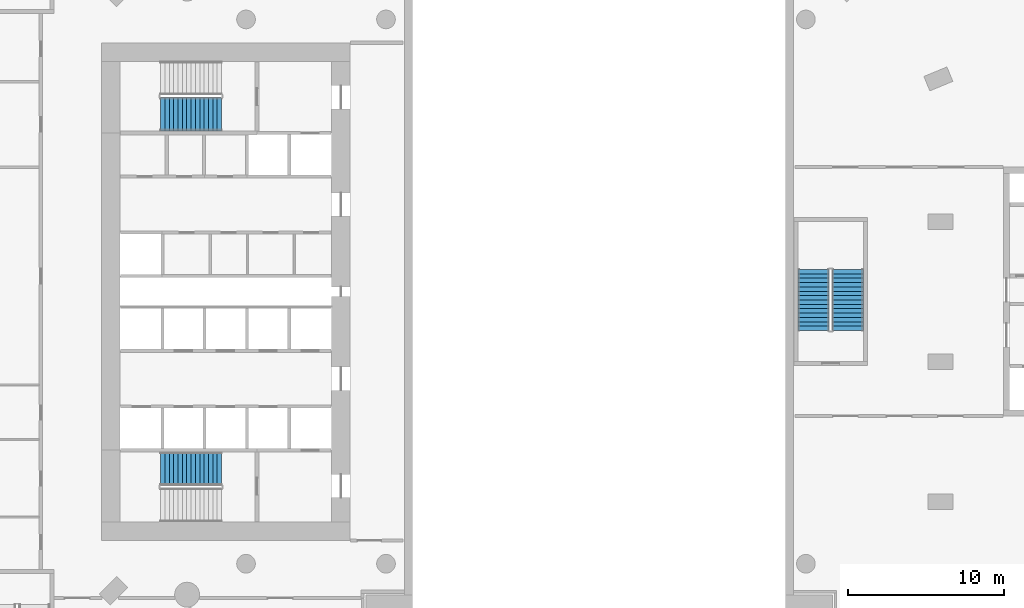
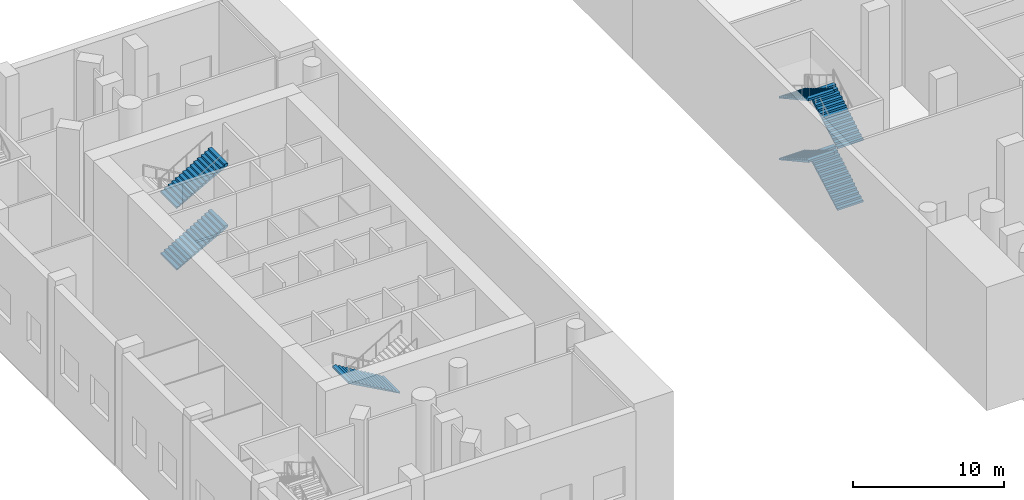
# One storey, part 10 of 16: 7 stair flights, 3 elements without a shape of their own.
"""IFC4 building model written with IfcOpenShell, lengths in metres."""

from ifc_helpers import new_model, si_unit, direction, frame, origin, place, context, subcontext, project, spatial, triangles, material, type_object, element, aggregate, save


model = new_model("IFC4")

# Units and contexts
model_context = context("Model", 3, precision=1e-05, world=origin(), true_north=direction((0.0, 1.0)))
body_context = subcontext(model_context, "Body", "Model", "MODEL_VIEW")
ifc_project = project(units=[si_unit("LENGTHUNIT", "METRE"), si_unit("AREAUNIT", "SQUARE_METRE"), si_unit("VOLUMEUNIT", "CUBIC_METRE"), si_unit("PLANEANGLEUNIT", "RADIAN"), si_unit("MASSUNIT", "GRAM", prefix="KILO")], contexts=[model_context])

# Site, building, storey
site_placement = place(None, origin())
site = spatial("IfcSite", under=ifc_project, at=site_placement, CompositionType="ELEMENT")
building_placement = place(site_placement, origin())
building = spatial("IfcBuilding", under=site, at=building_placement, Name="Cypress Arch Tower", CompositionType="ELEMENT")
storey_placement = place(building_placement, frame((0.0, 0.0, 9.0)))
storey = spatial("IfcBuildingStorey", under=building, at=storey_placement, Name="L01", CompositionType="ELEMENT", Elevation=9.0)

# Stair, stair flights
ifc_material_1 = material(Name="Concrete C40/50", Category="concrete")
stair_type_1 = type_object("IfcStairType", Name="Exit stair ES1667-200", PredefinedType="HALF_TURN_STAIR", material=ifc_material_1)
stair_1_placement = place(storey_placement, origin())
stair_1 = element("IfcStair", 1, at=stair_1_placement, inside=storey, type_object=stair_type_1, Name="L01 Exit stair C", PredefinedType="HALF_TURN_STAIR")
ifc_material_2 = material(Name="Concrete C40/50", Category="concrete")
stair_flight_type_1 = type_object("IfcStairFlightType", Name="Exit stair flight ES1667-200", PredefinedType="STRAIGHT", material=ifc_material_2)
stair_flight_1_placement = place(storey_placement, frame((18.0, -2.5, 0.0), z_axis=(0.0, 0.0, 1.0), x_axis=(0.0, 1.0, 0.0)))
stair_flight_1 = element("IfcStairFlight", 2, at=stair_flight_1_placement, type_object=stair_flight_type_1, Name="C flight 1", NumberOfRisers=15, NumberOfTreads=14, PredefinedType="STRAIGHT", RiserHeight=0.166666667, TreadLength=0.28, context=body_context, shape_type="Tessellation", body=[
    triangles([(0.0, -1.0, 0.0), (0.0, -1.0, 0.166748046875), (0.280029296875, -1.0, 0.166748046875), (0.280029296875, -1.0, 0.333251953125), (0.56005859375, -1.0, 0.333251953125), (0.56005859375, -1.0, 0.5), (0.840087890625, -1.0, 0.5), (0.840087890625, -1.0, 0.666748046875), (1.1201171875, -1.0, 0.666748046875), (1.1201171875, -1.0, 0.833251953125), (1.39990234375, -1.0, 0.833251953125), (1.39990234375, -1.0, 1.0), (1.679931640625, -1.0, 1.0), (1.679931640625, -1.0, 1.166748046875), (1.9599609375, -1.0, 1.166748046875), (1.9599609375, -1.0, 1.333251953125), (2.239990234375, -1.0, 1.333251953125), (2.239990234375, -1.0, 1.5), (2.52001953125, -1.0, 1.5), (2.52001953125, -1.0, 1.666748046875), (2.800048828125, -1.0, 1.666748046875), (2.800048828125, -1.0, 1.833251953125), (3.080078125, -1.0, 1.833251953125), (3.080078125, -1.0, 2.0), (3.360107421875, -1.0, 2.0), (3.360107421875, -1.0, 2.166748046875), (3.639892578125, -1.0, 2.166748046875), (3.639892578125, -1.0, 2.333251953125), (3.919921875, -1.0, 2.333251953125), (3.919921875, -1.0, 2.158935546875), (3.919921875, 1.0, 2.158935546875), (3.919921875, 1.0, 2.333251953125), (3.639892578125, 1.0, 2.333251953125), (3.639892578125, 1.0, 2.166748046875), (3.360107421875, 1.0, 2.166748046875), (3.360107421875, 1.0, 2.0), (3.080078125, 1.0, 2.0), (3.080078125, 1.0, 1.833251953125), (2.800048828125, 1.0, 1.833251953125), (2.800048828125, 1.0, 1.666748046875), (2.52001953125, 1.0, 1.666748046875), (2.52001953125, 1.0, 1.5), (2.239990234375, 1.0, 1.5), (2.239990234375, 1.0, 1.333251953125), (1.9599609375, 1.0, 1.333251953125), (1.9599609375, 1.0, 1.166748046875), (1.679931640625, 1.0, 1.166748046875), (1.679931640625, 1.0, 1.0), (1.39990234375, 1.0, 1.0), (1.39990234375, 1.0, 0.833251953125), (1.1201171875, 1.0, 0.833251953125), (1.1201171875, 1.0, 0.666748046875), (0.840087890625, 1.0, 0.666748046875), (0.840087890625, 1.0, 0.5), (0.56005859375, 1.0, 0.5), (0.56005859375, 1.0, 0.333251953125), (0.280029296875, 1.0, 0.333251953125), (0.280029296875, 1.0, 0.166748046875), (0.0, 1.0, 0.166748046875), (0.0, 1.0, 0.0)], [[30, 29, 28], [27, 26, 25], [25, 24, 23], [21, 20, 19], [19, 18, 17], [15, 14, 13], [13, 12, 11], [9, 8, 7], [7, 6, 5], [3, 2, 1], [11, 10, 9], [23, 22, 21], [17, 16, 15], [5, 4, 3], [30, 28, 27], [30, 27, 25], [30, 25, 23], [30, 23, 21], [30, 21, 19], [30, 19, 17], [30, 17, 15], [30, 15, 13], [30, 13, 11], [30, 11, 9], [30, 9, 7], [30, 7, 5], [1, 30, 5], [5, 3, 1], [31, 33, 32], [34, 36, 35], [36, 38, 37], [40, 42, 41], [42, 44, 43], [46, 48, 47], [48, 50, 49], [52, 54, 53], [54, 56, 55], [58, 60, 59], [50, 52, 51], [38, 40, 39], [44, 46, 45], [56, 58, 57], [31, 34, 33], [31, 36, 34], [31, 38, 36], [31, 40, 38], [31, 42, 40], [31, 44, 42], [31, 46, 44], [31, 48, 46], [31, 50, 48], [31, 52, 50], [31, 54, 52], [31, 56, 54], [60, 56, 31], [56, 60, 58], [31, 32, 29], [31, 29, 30], [32, 33, 28], [32, 28, 29], [33, 34, 27], [33, 27, 28], [34, 35, 26], [34, 26, 27], [35, 36, 25], [35, 25, 26], [36, 37, 24], [36, 24, 25], [37, 38, 23], [37, 23, 24], [38, 39, 22], [38, 22, 23], [39, 40, 21], [39, 21, 22], [40, 41, 20], [40, 20, 21], [41, 42, 19], [41, 19, 20], [42, 43, 18], [42, 18, 19], [43, 44, 17], [43, 17, 18], [44, 45, 16], [44, 16, 17], [45, 46, 15], [45, 15, 16], [46, 47, 14], [46, 14, 15], [47, 48, 13], [47, 13, 14], [48, 49, 12], [48, 12, 13], [49, 50, 11], [49, 11, 12], [50, 51, 10], [50, 10, 11], [51, 52, 9], [51, 9, 10], [52, 53, 8], [52, 8, 9], [53, 54, 7], [53, 7, 8], [54, 55, 6], [54, 6, 7], [55, 56, 5], [55, 5, 6], [56, 57, 4], [56, 4, 5], [57, 58, 3], [57, 3, 4], [58, 59, 2], [58, 2, 3], [59, 60, 1], [59, 1, 2], [60, 31, 30], [60, 30, 1]], closed=True),
])
stair_flight_2_placement = place(storey_placement, frame((15.800048828125, 1.419921875, 2.5), z_axis=(0.0, 0.0, 1.0), x_axis=(0.0, -1.0, 0.0)))
stair_flight_2 = element("IfcStairFlight", 3, at=stair_flight_2_placement, type_object=stair_flight_type_1, Name="C flight 2", NumberOfRisers=15, NumberOfTreads=14, PredefinedType="STRAIGHT", RiserHeight=0.166666667, TreadLength=0.28, context=body_context, shape_type="Tessellation", body=[
    triangles([(0.0, -1.0, 0.0), (0.0, -1.0, 0.166748046875), (0.280029296875, -1.0, 0.166748046875), (0.280029296875, -1.0, 0.333251953125), (0.56005859375, -1.0, 0.333251953125), (0.56005859375, -1.0, 0.5), (0.840087890625, -1.0, 0.5), (0.840087890625, -1.0, 0.666748046875), (1.1201171875, -1.0, 0.666748046875), (1.1201171875, -1.0, 0.833251953125), (1.39990234375, -1.0, 0.833251953125), (1.39990234375, -1.0, 1.0), (1.679931640625, -1.0, 1.0), (1.679931640625, -1.0, 1.166748046875), (1.9599609375, -1.0, 1.166748046875), (1.9599609375, -1.0, 1.333251953125), (2.239990234375, -1.0, 1.333251953125), (2.239990234375, -1.0, 1.5), (2.52001953125, -1.0, 1.5), (2.52001953125, -1.0, 1.666748046875), (2.800048828125, -1.0, 1.666748046875), (2.800048828125, -1.0, 1.833251953125), (3.080078125, -1.0, 1.833251953125), (3.080078125, -1.0, 2.0), (3.360107421875, -1.0, 2.0), (3.360107421875, -1.0, 2.166748046875), (3.639892578125, -1.0, 2.166748046875), (3.639892578125, -1.0, 2.333251953125), (3.919921875, -1.0, 2.333251953125), (3.919921875, -1.0, 2.158935546875), (3.919921875, 1.0, 2.158935546875), (3.919921875, 1.0, 2.333251953125), (3.639892578125, 1.0, 2.333251953125), (3.639892578125, 1.0, 2.166748046875), (3.360107421875, 1.0, 2.166748046875), (3.360107421875, 1.0, 2.0), (3.080078125, 1.0, 2.0), (3.080078125, 1.0, 1.833251953125), (2.800048828125, 1.0, 1.833251953125), (2.800048828125, 1.0, 1.666748046875), (2.52001953125, 1.0, 1.666748046875), (2.52001953125, 1.0, 1.5), (2.239990234375, 1.0, 1.5), (2.239990234375, 1.0, 1.333251953125), (1.9599609375, 1.0, 1.333251953125), (1.9599609375, 1.0, 1.166748046875), (1.679931640625, 1.0, 1.166748046875), (1.679931640625, 1.0, 1.0), (1.39990234375, 1.0, 1.0), (1.39990234375, 1.0, 0.833251953125), (1.1201171875, 1.0, 0.833251953125), (1.1201171875, 1.0, 0.666748046875), (0.840087890625, 1.0, 0.666748046875), (0.840087890625, 1.0, 0.5), (0.56005859375, 1.0, 0.5), (0.56005859375, 1.0, 0.333251953125), (0.280029296875, 1.0, 0.333251953125), (0.280029296875, 1.0, 0.166748046875), (0.0, 1.0, 0.166748046875), (0.0, 1.0, 0.0)], [[30, 29, 28], [27, 26, 25], [25, 24, 23], [21, 20, 19], [19, 18, 17], [15, 14, 13], [13, 12, 11], [9, 8, 7], [7, 6, 5], [3, 2, 1], [11, 10, 9], [23, 22, 21], [17, 16, 15], [5, 4, 3], [30, 28, 27], [30, 27, 25], [30, 25, 23], [30, 23, 21], [30, 21, 19], [30, 19, 17], [30, 17, 15], [30, 15, 13], [30, 13, 11], [30, 11, 9], [30, 9, 7], [30, 7, 5], [1, 30, 5], [5, 3, 1], [31, 33, 32], [34, 36, 35], [36, 38, 37], [40, 42, 41], [42, 44, 43], [46, 48, 47], [48, 50, 49], [52, 54, 53], [54, 56, 55], [58, 60, 59], [50, 52, 51], [38, 40, 39], [44, 46, 45], [56, 58, 57], [31, 34, 33], [31, 36, 34], [31, 38, 36], [31, 40, 38], [31, 42, 40], [31, 44, 42], [31, 46, 44], [31, 48, 46], [31, 50, 48], [31, 52, 50], [31, 54, 52], [31, 56, 54], [60, 56, 31], [56, 60, 58], [31, 32, 29], [31, 29, 30], [32, 33, 28], [32, 28, 29], [33, 34, 27], [33, 27, 28], [34, 35, 26], [34, 26, 27], [35, 36, 25], [35, 25, 26], [36, 37, 24], [36, 24, 25], [37, 38, 23], [37, 23, 24], [38, 39, 22], [38, 22, 23], [39, 40, 21], [39, 21, 22], [40, 41, 20], [40, 20, 21], [41, 42, 19], [41, 19, 20], [42, 43, 18], [42, 18, 19], [43, 44, 17], [43, 17, 18], [44, 45, 16], [44, 16, 17], [45, 46, 15], [45, 15, 16], [46, 47, 14], [46, 14, 15], [47, 48, 13], [47, 13, 14], [48, 49, 12], [48, 12, 13], [49, 50, 11], [49, 11, 12], [50, 51, 10], [50, 10, 11], [51, 52, 9], [51, 9, 10], [52, 53, 8], [52, 8, 9], [53, 54, 7], [53, 7, 8], [54, 55, 6], [54, 6, 7], [55, 56, 5], [55, 5, 6], [56, 57, 4], [56, 4, 5], [57, 58, 3], [57, 3, 4], [58, 59, 2], [58, 2, 3], [59, 60, 1], [59, 1, 2], [60, 31, 30], [60, 30, 1]], closed=True),
])
stair_flight_3_placement = place(storey_placement, frame((18.0, -2.5, 5.0), z_axis=(0.0, 0.0, 1.0), x_axis=(0.0, 1.0, 0.0)))
stair_flight_3 = element("IfcStairFlight", 4, at=stair_flight_3_placement, type_object=stair_flight_type_1, Name="C flight 3", NumberOfRisers=15, NumberOfTreads=14, PredefinedType="STRAIGHT", RiserHeight=0.166666667, TreadLength=0.28, context=body_context, shape_type="Tessellation", body=[
    triangles([(0.0, -1.0, 0.0), (0.0, -1.0, 0.166748046875), (0.280029296875, -1.0, 0.166748046875), (0.280029296875, -1.0, 0.333251953125), (0.56005859375, -1.0, 0.333251953125), (0.56005859375, -1.0, 0.5), (0.840087890625, -1.0, 0.5), (0.840087890625, -1.0, 0.666748046875), (1.1201171875, -1.0, 0.666748046875), (1.1201171875, -1.0, 0.833251953125), (1.39990234375, -1.0, 0.833251953125), (1.39990234375, -1.0, 1.0), (1.679931640625, -1.0, 1.0), (1.679931640625, -1.0, 1.166748046875), (1.9599609375, -1.0, 1.166748046875), (1.9599609375, -1.0, 1.333251953125), (2.239990234375, -1.0, 1.333251953125), (2.239990234375, -1.0, 1.5), (2.52001953125, -1.0, 1.5), (2.52001953125, -1.0, 1.666748046875), (2.800048828125, -1.0, 1.666748046875), (2.800048828125, -1.0, 1.833251953125), (3.080078125, -1.0, 1.833251953125), (3.080078125, -1.0, 2.0), (3.360107421875, -1.0, 2.0), (3.360107421875, -1.0, 2.166748046875), (3.639892578125, -1.0, 2.166748046875), (3.639892578125, -1.0, 2.333251953125), (3.919921875, -1.0, 2.333251953125), (3.919921875, -1.0, 2.158935546875), (3.919921875, 1.0, 2.158935546875), (3.919921875, 1.0, 2.333251953125), (3.639892578125, 1.0, 2.333251953125), (3.639892578125, 1.0, 2.166748046875), (3.360107421875, 1.0, 2.166748046875), (3.360107421875, 1.0, 2.0), (3.080078125, 1.0, 2.0), (3.080078125, 1.0, 1.833251953125), (2.800048828125, 1.0, 1.833251953125), (2.800048828125, 1.0, 1.666748046875), (2.52001953125, 1.0, 1.666748046875), (2.52001953125, 1.0, 1.5), (2.239990234375, 1.0, 1.5), (2.239990234375, 1.0, 1.333251953125), (1.9599609375, 1.0, 1.333251953125), (1.9599609375, 1.0, 1.166748046875), (1.679931640625, 1.0, 1.166748046875), (1.679931640625, 1.0, 1.0), (1.39990234375, 1.0, 1.0), (1.39990234375, 1.0, 0.833251953125), (1.1201171875, 1.0, 0.833251953125), (1.1201171875, 1.0, 0.666748046875), (0.840087890625, 1.0, 0.666748046875), (0.840087890625, 1.0, 0.5), (0.56005859375, 1.0, 0.5), (0.56005859375, 1.0, 0.333251953125), (0.280029296875, 1.0, 0.333251953125), (0.280029296875, 1.0, 0.166748046875), (0.0, 1.0, 0.166748046875), (0.0, 1.0, 0.0)], [[30, 29, 28], [27, 26, 25], [25, 24, 23], [21, 20, 19], [19, 18, 17], [15, 14, 13], [13, 12, 11], [9, 8, 7], [7, 6, 5], [3, 2, 1], [11, 10, 9], [23, 22, 21], [17, 16, 15], [5, 4, 3], [30, 28, 27], [30, 27, 25], [30, 25, 23], [30, 23, 21], [30, 21, 19], [30, 19, 17], [30, 17, 15], [30, 15, 13], [30, 13, 11], [30, 11, 9], [30, 9, 7], [30, 7, 5], [1, 30, 5], [5, 3, 1], [31, 33, 32], [34, 36, 35], [36, 38, 37], [40, 42, 41], [42, 44, 43], [46, 48, 47], [48, 50, 49], [52, 54, 53], [54, 56, 55], [58, 60, 59], [50, 52, 51], [38, 40, 39], [44, 46, 45], [56, 58, 57], [31, 34, 33], [31, 36, 34], [31, 38, 36], [31, 40, 38], [31, 42, 40], [31, 44, 42], [31, 46, 44], [31, 48, 46], [31, 50, 48], [31, 52, 50], [31, 54, 52], [31, 56, 54], [60, 56, 31], [56, 60, 58], [31, 32, 29], [31, 29, 30], [32, 33, 28], [32, 28, 29], [33, 34, 27], [33, 27, 28], [34, 35, 26], [34, 26, 27], [35, 36, 25], [35, 25, 26], [36, 37, 24], [36, 24, 25], [37, 38, 23], [37, 23, 24], [38, 39, 22], [38, 22, 23], [39, 40, 21], [39, 21, 22], [40, 41, 20], [40, 20, 21], [41, 42, 19], [41, 19, 20], [42, 43, 18], [42, 18, 19], [43, 44, 17], [43, 17, 18], [44, 45, 16], [44, 16, 17], [45, 46, 15], [45, 15, 16], [46, 47, 14], [46, 14, 15], [47, 48, 13], [47, 13, 14], [48, 49, 12], [48, 12, 13], [49, 50, 11], [49, 11, 12], [50, 51, 10], [50, 10, 11], [51, 52, 9], [51, 9, 10], [52, 53, 8], [52, 8, 9], [53, 54, 7], [53, 7, 8], [54, 55, 6], [54, 6, 7], [55, 56, 5], [55, 5, 6], [56, 57, 4], [56, 4, 5], [57, 58, 3], [57, 3, 4], [58, 59, 2], [58, 2, 3], [59, 60, 1], [59, 1, 2], [60, 31, 30], [60, 30, 1]], closed=True),
])
stair_flight_4_placement = place(storey_placement, frame((15.800048828125, 1.419921875, 7.5), z_axis=(0.0, 0.0, 1.0), x_axis=(0.0, -1.0, 0.0)))
stair_flight_4 = element("IfcStairFlight", 5, at=stair_flight_4_placement, type_object=stair_flight_type_1, Name="C flight 4", NumberOfRisers=15, NumberOfTreads=14, PredefinedType="STRAIGHT", RiserHeight=0.166666667, TreadLength=0.28, context=body_context, shape_type="Tessellation", body=[
    triangles([(0.0, -1.0, 0.0), (0.0, -1.0, 0.166748046875), (0.280029296875, -1.0, 0.166748046875), (0.280029296875, -1.0, 0.333251953125), (0.56005859375, -1.0, 0.333251953125), (0.56005859375, -1.0, 0.5), (0.840087890625, -1.0, 0.5), (0.840087890625, -1.0, 0.666748046875), (1.1201171875, -1.0, 0.666748046875), (1.1201171875, -1.0, 0.833251953125), (1.39990234375, -1.0, 0.833251953125), (1.39990234375, -1.0, 1.0), (1.679931640625, -1.0, 1.0), (1.679931640625, -1.0, 1.166748046875), (1.9599609375, -1.0, 1.166748046875), (1.9599609375, -1.0, 1.333251953125), (2.239990234375, -1.0, 1.333251953125), (2.239990234375, -1.0, 1.5), (2.52001953125, -1.0, 1.5), (2.52001953125, -1.0, 1.666748046875), (2.800048828125, -1.0, 1.666748046875), (2.800048828125, -1.0, 1.833251953125), (3.080078125, -1.0, 1.833251953125), (3.080078125, -1.0, 2.0), (3.360107421875, -1.0, 2.0), (3.360107421875, -1.0, 2.166748046875), (3.639892578125, -1.0, 2.166748046875), (3.639892578125, -1.0, 2.333251953125), (3.919921875, -1.0, 2.333251953125), (3.919921875, -1.0, 2.158935546875), (3.919921875, 1.0, 2.158935546875), (3.919921875, 1.0, 2.333251953125), (3.639892578125, 1.0, 2.333251953125), (3.639892578125, 1.0, 2.166748046875), (3.360107421875, 1.0, 2.166748046875), (3.360107421875, 1.0, 2.0), (3.080078125, 1.0, 2.0), (3.080078125, 1.0, 1.833251953125), (2.800048828125, 1.0, 1.833251953125), (2.800048828125, 1.0, 1.666748046875), (2.52001953125, 1.0, 1.666748046875), (2.52001953125, 1.0, 1.5), (2.239990234375, 1.0, 1.5), (2.239990234375, 1.0, 1.333251953125), (1.9599609375, 1.0, 1.333251953125), (1.9599609375, 1.0, 1.166748046875), (1.679931640625, 1.0, 1.166748046875), (1.679931640625, 1.0, 1.0), (1.39990234375, 1.0, 1.0), (1.39990234375, 1.0, 0.833251953125), (1.1201171875, 1.0, 0.833251953125), (1.1201171875, 1.0, 0.666748046875), (0.840087890625, 1.0, 0.666748046875), (0.840087890625, 1.0, 0.5), (0.56005859375, 1.0, 0.5), (0.56005859375, 1.0, 0.333251953125), (0.280029296875, 1.0, 0.333251953125), (0.280029296875, 1.0, 0.166748046875), (0.0, 1.0, 0.166748046875), (0.0, 1.0, 0.0)], [[30, 29, 28], [27, 26, 25], [25, 24, 23], [21, 20, 19], [19, 18, 17], [15, 14, 13], [13, 12, 11], [9, 8, 7], [7, 6, 5], [3, 2, 1], [11, 10, 9], [23, 22, 21], [17, 16, 15], [5, 4, 3], [30, 28, 27], [30, 27, 25], [30, 25, 23], [30, 23, 21], [30, 21, 19], [30, 19, 17], [30, 17, 15], [30, 15, 13], [30, 13, 11], [30, 11, 9], [30, 9, 7], [30, 7, 5], [1, 30, 5], [5, 3, 1], [31, 33, 32], [34, 36, 35], [36, 38, 37], [40, 42, 41], [42, 44, 43], [46, 48, 47], [48, 50, 49], [52, 54, 53], [54, 56, 55], [58, 60, 59], [50, 52, 51], [38, 40, 39], [44, 46, 45], [56, 58, 57], [31, 34, 33], [31, 36, 34], [31, 38, 36], [31, 40, 38], [31, 42, 40], [31, 44, 42], [31, 46, 44], [31, 48, 46], [31, 50, 48], [31, 52, 50], [31, 54, 52], [31, 56, 54], [60, 56, 31], [56, 60, 58], [31, 32, 29], [31, 29, 30], [32, 33, 28], [32, 28, 29], [33, 34, 27], [33, 27, 28], [34, 35, 26], [34, 26, 27], [35, 36, 25], [35, 25, 26], [36, 37, 24], [36, 24, 25], [37, 38, 23], [37, 23, 24], [38, 39, 22], [38, 22, 23], [39, 40, 21], [39, 21, 22], [40, 41, 20], [40, 20, 21], [41, 42, 19], [41, 19, 20], [42, 43, 18], [42, 18, 19], [43, 44, 17], [43, 17, 18], [44, 45, 16], [44, 16, 17], [45, 46, 15], [45, 15, 16], [46, 47, 14], [46, 14, 15], [47, 48, 13], [47, 13, 14], [48, 49, 12], [48, 12, 13], [49, 50, 11], [49, 11, 12], [50, 51, 10], [50, 10, 11], [51, 52, 9], [51, 9, 10], [52, 53, 8], [52, 8, 9], [53, 54, 7], [53, 7, 8], [54, 55, 6], [54, 6, 7], [55, 56, 5], [55, 5, 6], [56, 57, 4], [56, 4, 5], [57, 58, 3], [57, 3, 4], [58, 59, 2], [58, 2, 3], [59, 60, 1], [59, 1, 2], [60, 31, 30], [60, 30, 1]], closed=True),
])
aggregate(stair_1, [stair_flight_1, stair_flight_2, stair_flight_3, stair_flight_4])

# Stair, stair flight
ifc_material_3 = material(Name="Concrete C40/50", Category="concrete")
stair_type_2 = type_object("IfcStairType", Name="Exit stair ES1667-215", PredefinedType="HALF_TURN_STAIR", material=ifc_material_3)
stair_2_placement = place(storey_placement, origin())
stair_2 = element("IfcStair", 6, at=stair_2_placement, inside=storey, type_object=stair_type_2, Name="L01 Exit stair A", PredefinedType="HALF_TURN_STAIR")
ifc_material_4 = material(Name="Concrete C40/50", Category="concrete")
stair_flight_type_2 = type_object("IfcStairFlightType", Name="Exit stair flight ES1667-215", PredefinedType="STRAIGHT", material=ifc_material_4)
stair_flight_5_placement = place(storey_placement, frame((-22.27490234375, -11.39990234375, 5.0), z_axis=(0.0, 0.0, 1.0), x_axis=(-1.0, 0.0, 0.0)))
stair_flight_5 = element("IfcStairFlight", 7, at=stair_flight_5_placement, type_object=stair_flight_type_2, Name="A flight 3", NumberOfRisers=15, NumberOfTreads=14, PredefinedType="STRAIGHT", RiserHeight=0.166666667, TreadLength=0.28, context=body_context, shape_type="Tessellation", body=[
    triangles([(0.0, -1.074951171875, 0.0), (0.00048828125, -1.074951171875, 0.0556640625), (0.00048828125, -1.074951171875, 0.111083984375), (0.0, -1.074951171875, 0.166748046875), (0.280029296875, -1.074951171875, 0.166748046875), (0.280029296875, -1.074951171875, 0.333251953125), (0.56005859375, -1.074951171875, 0.333251953125), (0.56005859375, -1.074951171875, 0.5), (0.840087890625, -1.074951171875, 0.5), (0.840087890625, -1.074951171875, 0.666748046875), (1.1201171875, -1.074951171875, 0.666748046875), (1.1201171875, -1.074951171875, 0.833251953125), (1.39990234375, -1.074951171875, 0.833251953125), (1.39990234375, -1.074951171875, 1.0), (1.679931640625, -1.074951171875, 1.0), (1.679931640625, -1.074951171875, 1.166748046875), (1.9599609375, -1.074951171875, 1.166748046875), (1.9599609375, -1.074951171875, 1.333251953125), (2.239990234375, -1.074951171875, 1.333251953125), (2.239990234375, -1.074951171875, 1.5), (2.52001953125, -1.074951171875, 1.5), (2.52001953125, -1.074951171875, 1.666748046875), (2.800048828125, -1.074951171875, 1.666748046875), (2.800048828125, -1.074951171875, 1.833251953125), (3.080078125, -1.074951171875, 1.833251953125), (3.080078125, -1.074951171875, 2.0), (3.360107421875, -1.074951171875, 2.0), (3.360107421875, -1.074951171875, 2.166748046875), (3.639892578125, -1.074951171875, 2.166748046875), (3.639892578125, -1.074951171875, 2.333251953125), (3.919921875, -1.074951171875, 2.333251953125), (3.91943359375, -1.074951171875, 2.275146484375), (3.91943359375, -1.074951171875, 2.217041015625), (3.919921875, -1.074951171875, 2.158935546875), (3.919921875, 1.074951171875, 2.158935546875), (3.91943359375, 1.074951171875, 2.217041015625), (3.91943359375, 1.074951171875, 2.275146484375), (3.919921875, 1.074951171875, 2.333251953125), (3.639892578125, 1.074951171875, 2.333251953125), (3.639892578125, 1.074951171875, 2.166748046875), (3.360107421875, 1.074951171875, 2.166748046875), (3.360107421875, 1.074951171875, 2.0), (3.080078125, 1.074951171875, 2.0), (3.080078125, 1.074951171875, 1.833251953125), (2.800048828125, 1.074951171875, 1.833251953125), (2.800048828125, 1.074951171875, 1.666748046875), (2.52001953125, 1.074951171875, 1.666748046875), (2.52001953125, 1.074951171875, 1.5), (2.239990234375, 1.074951171875, 1.5), (2.239990234375, 1.074951171875, 1.333251953125), (1.9599609375, 1.074951171875, 1.333251953125), (1.9599609375, 1.074951171875, 1.166748046875), (1.679931640625, 1.074951171875, 1.166748046875), (1.679931640625, 1.074951171875, 1.0), (1.39990234375, 1.074951171875, 1.0), (1.39990234375, 1.074951171875, 0.833251953125), (1.1201171875, 1.074951171875, 0.833251953125), (1.1201171875, 1.074951171875, 0.666748046875), (0.840087890625, 1.074951171875, 0.666748046875), (0.840087890625, 1.074951171875, 0.5), (0.56005859375, 1.074951171875, 0.5), (0.56005859375, 1.074951171875, 0.333251953125), (0.280029296875, 1.074951171875, 0.333251953125), (0.280029296875, 1.074951171875, 0.166748046875), (0.0, 1.074951171875, 0.166748046875), (0.00048828125, 1.074951171875, 0.111083984375), (0.00048828125, 1.074951171875, 0.0556640625), (0.0, 1.074951171875, 0.0)], [[34, 33, 30], [33, 32, 30], [32, 31, 30], [29, 28, 27], [27, 26, 25], [23, 22, 21], [21, 20, 19], [17, 16, 15], [15, 14, 13], [11, 10, 9], [9, 8, 7], [4, 3, 5], [3, 2, 5], [2, 1, 5], [13, 12, 11], [25, 24, 23], [19, 18, 17], [7, 6, 5], [34, 30, 29], [34, 29, 27], [34, 27, 25], [34, 25, 23], [34, 23, 21], [34, 21, 19], [34, 19, 17], [34, 17, 15], [34, 15, 13], [34, 13, 11], [34, 11, 9], [34, 9, 7], [1, 34, 7], [7, 5, 1], [35, 39, 36], [36, 39, 37], [37, 39, 38], [40, 42, 41], [42, 44, 43], [46, 48, 47], [48, 50, 49], [52, 54, 53], [54, 56, 55], [58, 60, 59], [60, 62, 61], [65, 64, 66], [66, 64, 67], [67, 64, 68], [56, 58, 57], [44, 46, 45], [50, 52, 51], [62, 64, 63], [35, 40, 39], [35, 42, 40], [35, 44, 42], [35, 46, 44], [35, 48, 46], [35, 50, 48], [35, 52, 50], [35, 54, 52], [35, 56, 54], [35, 58, 56], [35, 60, 58], [35, 62, 60], [68, 62, 35], [62, 68, 64], [35, 36, 33], [35, 33, 34], [36, 37, 32], [36, 32, 33], [37, 38, 31], [37, 31, 32], [38, 39, 30], [38, 30, 31], [39, 40, 29], [39, 29, 30], [40, 41, 28], [40, 28, 29], [41, 42, 27], [41, 27, 28], [42, 43, 26], [42, 26, 27], [43, 44, 25], [43, 25, 26], [44, 45, 24], [44, 24, 25], [45, 46, 23], [45, 23, 24], [46, 47, 22], [46, 22, 23], [47, 48, 21], [47, 21, 22], [48, 49, 20], [48, 20, 21], [49, 50, 19], [49, 19, 20], [50, 51, 18], [50, 18, 19], [51, 52, 17], [51, 17, 18], [52, 53, 16], [52, 16, 17], [53, 54, 15], [53, 15, 16], [54, 55, 14], [54, 14, 15], [55, 56, 13], [55, 13, 14], [56, 57, 12], [56, 12, 13], [57, 58, 11], [57, 11, 12], [58, 59, 10], [58, 10, 11], [59, 60, 9], [59, 9, 10], [60, 61, 8], [60, 8, 9], [61, 62, 7], [61, 7, 8], [62, 63, 6], [62, 6, 7], [63, 64, 5], [63, 5, 6], [64, 65, 4], [64, 4, 5], [65, 66, 3], [65, 3, 4], [66, 67, 2], [66, 2, 3], [67, 68, 1], [67, 1, 2], [68, 35, 34], [68, 34, 1]], closed=True),
])
aggregate(stair_2, [stair_flight_5])

# Stair, stair flights
stair_3_placement = place(storey_placement, origin())
stair_3 = element("IfcStair", 8, at=stair_3_placement, inside=storey, type_object=stair_type_2, Name="L01 Exit stair B", PredefinedType="HALF_TURN_STAIR")
stair_flight_6_placement = place(storey_placement, frame((-26.195068359375, 11.39990234375, 2.5), z_axis=(0.0, 0.0, 1.0), x_axis=(1.0, 0.0, 0.0)))
stair_flight_6 = element("IfcStairFlight", 9, at=stair_flight_6_placement, type_object=stair_flight_type_2, Name="B flight 2", NumberOfRisers=15, NumberOfTreads=14, PredefinedType="STRAIGHT", RiserHeight=0.166666667, TreadLength=0.28, context=body_context, shape_type="Tessellation", body=[
    triangles([(0.0, -1.074951171875, 0.0), (0.00048828125, -1.074951171875, 0.0556640625), (0.00048828125, -1.074951171875, 0.111083984375), (0.0, -1.074951171875, 0.166748046875), (0.280029296875, -1.074951171875, 0.166748046875), (0.280029296875, -1.074951171875, 0.333251953125), (0.56005859375, -1.074951171875, 0.333251953125), (0.56005859375, -1.074951171875, 0.5), (0.840087890625, -1.074951171875, 0.5), (0.840087890625, -1.074951171875, 0.666748046875), (1.1201171875, -1.074951171875, 0.666748046875), (1.1201171875, -1.074951171875, 0.833251953125), (1.39990234375, -1.074951171875, 0.833251953125), (1.39990234375, -1.074951171875, 1.0), (1.679931640625, -1.074951171875, 1.0), (1.679931640625, -1.074951171875, 1.166748046875), (1.9599609375, -1.074951171875, 1.166748046875), (1.9599609375, -1.074951171875, 1.333251953125), (2.239990234375, -1.074951171875, 1.333251953125), (2.239990234375, -1.074951171875, 1.5), (2.52001953125, -1.074951171875, 1.5), (2.52001953125, -1.074951171875, 1.666748046875), (2.800048828125, -1.074951171875, 1.666748046875), (2.800048828125, -1.074951171875, 1.833251953125), (3.080078125, -1.074951171875, 1.833251953125), (3.080078125, -1.074951171875, 2.0), (3.360107421875, -1.074951171875, 2.0), (3.360107421875, -1.074951171875, 2.166748046875), (3.639892578125, -1.074951171875, 2.166748046875), (3.639892578125, -1.074951171875, 2.333251953125), (3.919921875, -1.074951171875, 2.333251953125), (3.91943359375, -1.074951171875, 2.275146484375), (3.91943359375, -1.074951171875, 2.217041015625), (3.919921875, -1.074951171875, 2.158935546875), (3.919921875, 1.074951171875, 2.158935546875), (3.91943359375, 1.074951171875, 2.217041015625), (3.91943359375, 1.074951171875, 2.275146484375), (3.919921875, 1.074951171875, 2.333251953125), (3.639892578125, 1.074951171875, 2.333251953125), (3.639892578125, 1.074951171875, 2.166748046875), (3.360107421875, 1.074951171875, 2.166748046875), (3.360107421875, 1.074951171875, 2.0), (3.080078125, 1.074951171875, 2.0), (3.080078125, 1.074951171875, 1.833251953125), (2.800048828125, 1.074951171875, 1.833251953125), (2.800048828125, 1.074951171875, 1.666748046875), (2.52001953125, 1.074951171875, 1.666748046875), (2.52001953125, 1.074951171875, 1.5), (2.239990234375, 1.074951171875, 1.5), (2.239990234375, 1.074951171875, 1.333251953125), (1.9599609375, 1.074951171875, 1.333251953125), (1.9599609375, 1.074951171875, 1.166748046875), (1.679931640625, 1.074951171875, 1.166748046875), (1.679931640625, 1.074951171875, 1.0), (1.39990234375, 1.074951171875, 1.0), (1.39990234375, 1.074951171875, 0.833251953125), (1.1201171875, 1.074951171875, 0.833251953125), (1.1201171875, 1.074951171875, 0.666748046875), (0.840087890625, 1.074951171875, 0.666748046875), (0.840087890625, 1.074951171875, 0.5), (0.56005859375, 1.074951171875, 0.5), (0.56005859375, 1.074951171875, 0.333251953125), (0.280029296875, 1.074951171875, 0.333251953125), (0.280029296875, 1.074951171875, 0.166748046875), (0.0, 1.074951171875, 0.166748046875), (0.00048828125, 1.074951171875, 0.111083984375), (0.00048828125, 1.074951171875, 0.0556640625), (0.0, 1.074951171875, 0.0)], [[34, 33, 30], [33, 32, 30], [32, 31, 30], [29, 28, 27], [27, 26, 25], [23, 22, 21], [21, 20, 19], [17, 16, 15], [15, 14, 13], [11, 10, 9], [9, 8, 7], [4, 3, 5], [3, 2, 5], [2, 1, 5], [13, 12, 11], [25, 24, 23], [19, 18, 17], [7, 6, 5], [34, 30, 29], [34, 29, 27], [34, 27, 25], [34, 25, 23], [34, 23, 21], [34, 21, 19], [34, 19, 17], [34, 17, 15], [34, 15, 13], [34, 13, 11], [34, 11, 9], [34, 9, 7], [1, 34, 7], [7, 5, 1], [35, 39, 36], [36, 39, 37], [37, 39, 38], [40, 42, 41], [42, 44, 43], [46, 48, 47], [48, 50, 49], [52, 54, 53], [54, 56, 55], [58, 60, 59], [60, 62, 61], [65, 64, 66], [66, 64, 67], [67, 64, 68], [56, 58, 57], [44, 46, 45], [50, 52, 51], [62, 64, 63], [35, 40, 39], [35, 42, 40], [35, 44, 42], [35, 46, 44], [35, 48, 46], [35, 50, 48], [35, 52, 50], [35, 54, 52], [35, 56, 54], [35, 58, 56], [35, 60, 58], [35, 62, 60], [68, 62, 35], [62, 68, 64], [35, 36, 33], [35, 33, 34], [36, 37, 32], [36, 32, 33], [37, 38, 31], [37, 31, 32], [38, 39, 30], [38, 30, 31], [39, 40, 29], [39, 29, 30], [40, 41, 28], [40, 28, 29], [41, 42, 27], [41, 27, 28], [42, 43, 26], [42, 26, 27], [43, 44, 25], [43, 25, 26], [44, 45, 24], [44, 24, 25], [45, 46, 23], [45, 23, 24], [46, 47, 22], [46, 22, 23], [47, 48, 21], [47, 21, 22], [48, 49, 20], [48, 20, 21], [49, 50, 19], [49, 19, 20], [50, 51, 18], [50, 18, 19], [51, 52, 17], [51, 17, 18], [52, 53, 16], [52, 16, 17], [53, 54, 15], [53, 15, 16], [54, 55, 14], [54, 14, 15], [55, 56, 13], [55, 13, 14], [56, 57, 12], [56, 12, 13], [57, 58, 11], [57, 11, 12], [58, 59, 10], [58, 10, 11], [59, 60, 9], [59, 9, 10], [60, 61, 8], [60, 8, 9], [61, 62, 7], [61, 7, 8], [62, 63, 6], [62, 6, 7], [63, 64, 5], [63, 5, 6], [64, 65, 4], [64, 4, 5], [65, 66, 3], [65, 3, 4], [66, 67, 2], [66, 2, 3], [67, 68, 1], [67, 1, 2], [68, 35, 34], [68, 34, 1]], closed=True),
])
stair_flight_7_placement = place(storey_placement, frame((-26.195068359375, 11.39990234375, 7.5), z_axis=(0.0, 0.0, 1.0), x_axis=(1.0, 0.0, 0.0)))
stair_flight_7 = element("IfcStairFlight", 10, at=stair_flight_7_placement, type_object=stair_flight_type_2, Name="B flight 4", NumberOfRisers=15, NumberOfTreads=14, PredefinedType="STRAIGHT", RiserHeight=0.166666667, TreadLength=0.28, context=body_context, shape_type="Tessellation", body=[
    triangles([(0.0, -1.074951171875, 0.0), (0.00048828125, -1.074951171875, 0.0556640625), (0.00048828125, -1.074951171875, 0.111083984375), (0.0, -1.074951171875, 0.166748046875), (0.280029296875, -1.074951171875, 0.166748046875), (0.280029296875, -1.074951171875, 0.333251953125), (0.56005859375, -1.074951171875, 0.333251953125), (0.56005859375, -1.074951171875, 0.5), (0.840087890625, -1.074951171875, 0.5), (0.840087890625, -1.074951171875, 0.666748046875), (1.1201171875, -1.074951171875, 0.666748046875), (1.1201171875, -1.074951171875, 0.833251953125), (1.39990234375, -1.074951171875, 0.833251953125), (1.39990234375, -1.074951171875, 1.0), (1.679931640625, -1.074951171875, 1.0), (1.679931640625, -1.074951171875, 1.166748046875), (1.9599609375, -1.074951171875, 1.166748046875), (1.9599609375, -1.074951171875, 1.333251953125), (2.239990234375, -1.074951171875, 1.333251953125), (2.239990234375, -1.074951171875, 1.5), (2.52001953125, -1.074951171875, 1.5), (2.52001953125, -1.074951171875, 1.666748046875), (2.800048828125, -1.074951171875, 1.666748046875), (2.800048828125, -1.074951171875, 1.833251953125), (3.080078125, -1.074951171875, 1.833251953125), (3.080078125, -1.074951171875, 2.0), (3.360107421875, -1.074951171875, 2.0), (3.360107421875, -1.074951171875, 2.166748046875), (3.639892578125, -1.074951171875, 2.166748046875), (3.639892578125, -1.074951171875, 2.333251953125), (3.919921875, -1.074951171875, 2.333251953125), (3.91943359375, -1.074951171875, 2.275146484375), (3.91943359375, -1.074951171875, 2.217041015625), (3.919921875, -1.074951171875, 2.158935546875), (3.919921875, 1.074951171875, 2.158935546875), (3.91943359375, 1.074951171875, 2.217041015625), (3.91943359375, 1.074951171875, 2.275146484375), (3.919921875, 1.074951171875, 2.333251953125), (3.639892578125, 1.074951171875, 2.333251953125), (3.639892578125, 1.074951171875, 2.166748046875), (3.360107421875, 1.074951171875, 2.166748046875), (3.360107421875, 1.074951171875, 2.0), (3.080078125, 1.074951171875, 2.0), (3.080078125, 1.074951171875, 1.833251953125), (2.800048828125, 1.074951171875, 1.833251953125), (2.800048828125, 1.074951171875, 1.666748046875), (2.52001953125, 1.074951171875, 1.666748046875), (2.52001953125, 1.074951171875, 1.5), (2.239990234375, 1.074951171875, 1.5), (2.239990234375, 1.074951171875, 1.333251953125), (1.9599609375, 1.074951171875, 1.333251953125), (1.9599609375, 1.074951171875, 1.166748046875), (1.679931640625, 1.074951171875, 1.166748046875), (1.679931640625, 1.074951171875, 1.0), (1.39990234375, 1.074951171875, 1.0), (1.39990234375, 1.074951171875, 0.833251953125), (1.1201171875, 1.074951171875, 0.833251953125), (1.1201171875, 1.074951171875, 0.666748046875), (0.840087890625, 1.074951171875, 0.666748046875), (0.840087890625, 1.074951171875, 0.5), (0.56005859375, 1.074951171875, 0.5), (0.56005859375, 1.074951171875, 0.333251953125), (0.280029296875, 1.074951171875, 0.333251953125), (0.280029296875, 1.074951171875, 0.166748046875), (0.0, 1.074951171875, 0.166748046875), (0.00048828125, 1.074951171875, 0.111083984375), (0.00048828125, 1.074951171875, 0.0556640625), (0.0, 1.074951171875, 0.0)], [[34, 33, 30], [33, 32, 30], [32, 31, 30], [29, 28, 27], [27, 26, 25], [23, 22, 21], [21, 20, 19], [17, 16, 15], [15, 14, 13], [11, 10, 9], [9, 8, 7], [4, 3, 5], [3, 2, 5], [2, 1, 5], [13, 12, 11], [25, 24, 23], [19, 18, 17], [7, 6, 5], [34, 30, 29], [34, 29, 27], [34, 27, 25], [34, 25, 23], [34, 23, 21], [34, 21, 19], [34, 19, 17], [34, 17, 15], [34, 15, 13], [34, 13, 11], [34, 11, 9], [34, 9, 7], [1, 34, 7], [7, 5, 1], [35, 39, 36], [36, 39, 37], [37, 39, 38], [40, 42, 41], [42, 44, 43], [46, 48, 47], [48, 50, 49], [52, 54, 53], [54, 56, 55], [58, 60, 59], [60, 62, 61], [65, 64, 66], [66, 64, 67], [67, 64, 68], [56, 58, 57], [44, 46, 45], [50, 52, 51], [62, 64, 63], [35, 40, 39], [35, 42, 40], [35, 44, 42], [35, 46, 44], [35, 48, 46], [35, 50, 48], [35, 52, 50], [35, 54, 52], [35, 56, 54], [35, 58, 56], [35, 60, 58], [35, 62, 60], [68, 62, 35], [62, 68, 64], [35, 36, 33], [35, 33, 34], [36, 37, 32], [36, 32, 33], [37, 38, 31], [37, 31, 32], [38, 39, 30], [38, 30, 31], [39, 40, 29], [39, 29, 30], [40, 41, 28], [40, 28, 29], [41, 42, 27], [41, 27, 28], [42, 43, 26], [42, 26, 27], [43, 44, 25], [43, 25, 26], [44, 45, 24], [44, 24, 25], [45, 46, 23], [45, 23, 24], [46, 47, 22], [46, 22, 23], [47, 48, 21], [47, 21, 22], [48, 49, 20], [48, 20, 21], [49, 50, 19], [49, 19, 20], [50, 51, 18], [50, 18, 19], [51, 52, 17], [51, 17, 18], [52, 53, 16], [52, 16, 17], [53, 54, 15], [53, 15, 16], [54, 55, 14], [54, 14, 15], [55, 56, 13], [55, 13, 14], [56, 57, 12], [56, 12, 13], [57, 58, 11], [57, 11, 12], [58, 59, 10], [58, 10, 11], [59, 60, 9], [59, 9, 10], [60, 61, 8], [60, 8, 9], [61, 62, 7], [61, 7, 8], [62, 63, 6], [62, 6, 7], [63, 64, 5], [63, 5, 6], [64, 65, 4], [64, 4, 5], [65, 66, 3], [65, 3, 4], [66, 67, 2], [66, 2, 3], [67, 68, 1], [67, 1, 2], [68, 35, 34], [68, 34, 1]], closed=True),
])
aggregate(stair_3, [stair_flight_6, stair_flight_7])

save(model, "model.ifc")
